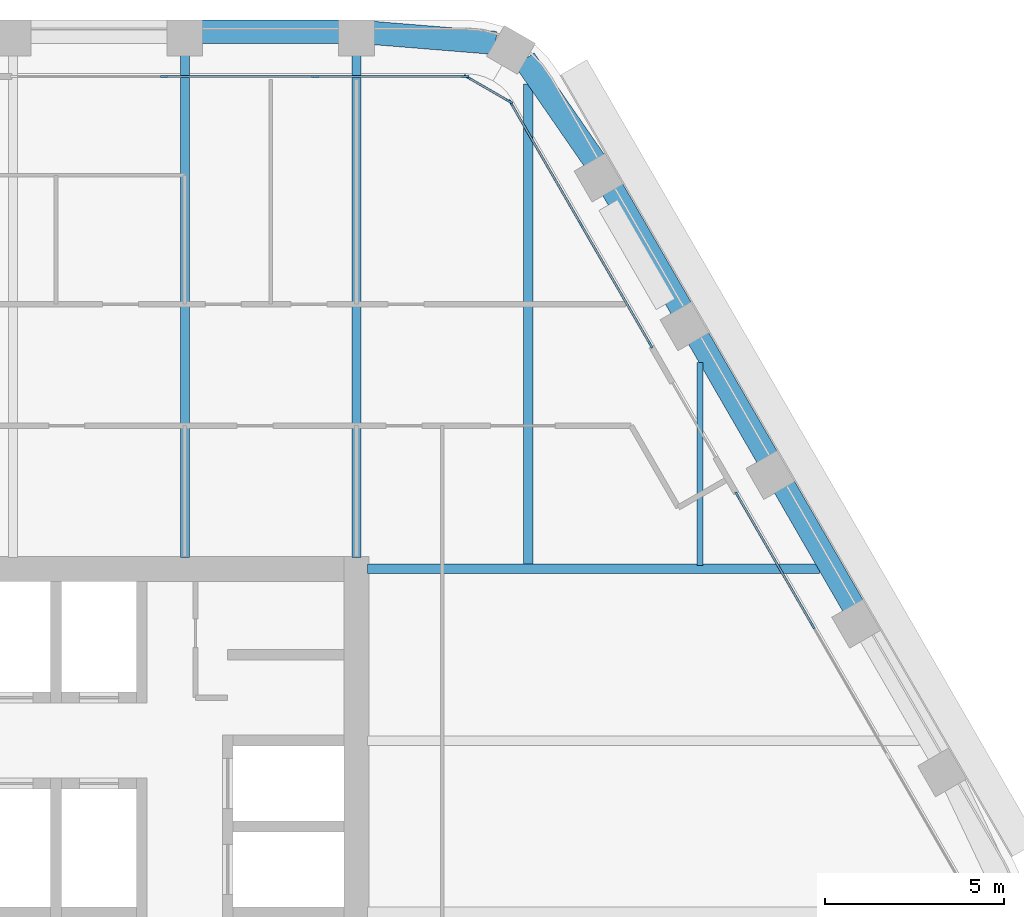
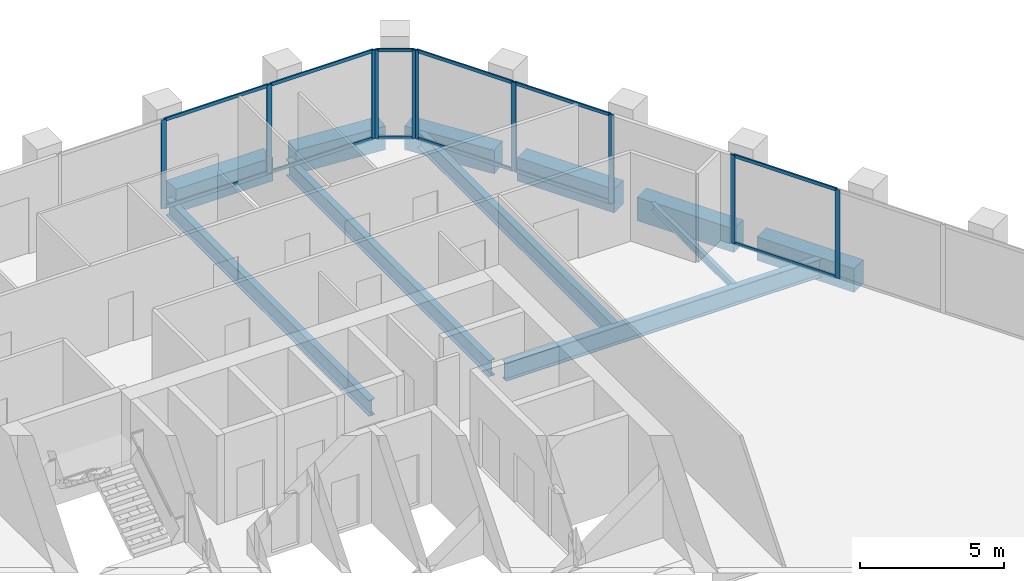
# One storey, part 6 of 15: 22 members, 11 beams, 4 elements without a shape of their own.
"""IFC4 building model written with IfcOpenShell, lengths in metres."""

from ifc_helpers import new_model, si_unit, direction, frame, origin, origin_2d, place, context, subcontext, project, spatial, rectangle, i_section, extrude, material, material_profile, profile_set, type_object, element, aggregate, save


model = new_model("IFC4")

# Units and contexts
model_context = context("Model", 3, precision=1e-05, world=origin(), true_north=direction((0.0, 1.0)))
body_context = subcontext(model_context, "Body", "Model", "MODEL_VIEW")
ifc_project = project(units=[si_unit("LENGTHUNIT", "METRE"), si_unit("AREAUNIT", "SQUARE_METRE"), si_unit("VOLUMEUNIT", "CUBIC_METRE"), si_unit("PLANEANGLEUNIT", "RADIAN"), si_unit("MASSUNIT", "GRAM", prefix="KILO")], contexts=[model_context])

# Site, building, storey
site_placement = place(None, origin())
site = spatial("IfcSite", under=ifc_project, at=site_placement, CompositionType="ELEMENT")
building_placement = place(site_placement, origin())
building = spatial("IfcBuilding", under=site, at=building_placement, Name="Kolab Exchange Tower", CompositionType="ELEMENT")
storey_placement = place(building_placement, frame((0.0, 0.0, 170.0)))
storey = spatial("IfcBuildingStorey", under=building, at=storey_placement, Name="L35", CompositionType="ELEMENT", Elevation=170.0)

# Beams
ifc_material_1 = material(Name="Steel S355", Category="steel")
ifc_material_profile_1 = material_profile(ifc_material_1, i_section(OverallWidth=0.1650390625, OverallDepth=0.31005859375, WebThickness=0.005859375, FlangeThickness=0.009765625, at=origin_2d()), Name="W310X39")
ifc_profile_set_1 = profile_set([ifc_material_profile_1], Name="Steel S355")
beam_type_1 = type_object("IfcBeamType", Name="FLOOR BEAM W310X39", PredefinedType="BEAM", material=ifc_profile_set_1)
beam_1_placement = place(storey_placement, frame((19.199951171875, 9.693603515625, -0.304931640625), z_axis=(0.0, 1.0, 0.0), x_axis=(-1.0, 0.0, 0.0)))
element("IfcBeam", 1, at=beam_1_placement, inside=storey, type_object=beam_type_1, Name="beam/L35/fr/023", PredefinedType="BEAM", context=body_context, shape_type="SweptSolid", body=[
    extrude(i_section(OverallWidth=0.1650390625, OverallDepth=0.31005859375, WebThickness=0.005859375, FlangeThickness=0.009765625, at=origin_2d()), origin(), (0.0, 0.0, 1.0), 5.674072265625),
])
ifc_material_profile_2 = material_profile(ifc_material_1, i_section(OverallWidth=0.25390625, OverallDepth=0.68408203125, WebThickness=0.012451171875, FlangeThickness=0.018798828125, at=origin_2d()), Name="W690X140")
ifc_profile_set_2 = profile_set([ifc_material_profile_2], Name="Steel S355")
beam_type_2 = type_object("IfcBeamType", Name="FLOOR BEAM W690X140", PredefinedType="BEAM", material=ifc_profile_set_2)
for number, where, z_axis, x_axis, name in (
    (2, (4.800048828125, 9.909912109375, -0.491943359375), (0.0, 1.0, 0.0), (-1.0, 0.0, 0.0), "beam/L35/fr/014"),
    (3, (9.60009765625, 9.909912109375, -0.491943359375), (0.0, 1.0, 0.0), (-1.0, 0.0, 0.0), "beam/L35/fr/016"),
):
    element("IfcBeam", number, at=place(storey_placement, frame(where, z_axis=z_axis, x_axis=x_axis)), inside=storey, type_object=beam_type_2, Name=name, PredefinedType="BEAM", context=body_context, shape_type="SweptSolid", body=[
        extrude(i_section(OverallWidth=0.25390625, OverallDepth=0.68408203125, WebThickness=0.012451171875, FlangeThickness=0.018798828125, at=origin_2d()), origin(), (0.0, 0.0, 1.0), 14.071533203125),
    ])
beam_2_placement = place(storey_placement, frame((14.39990234375, 9.693603515625, -0.491943359375), z_axis=(0.0, 1.0, 0.0), x_axis=(-1.0, 0.0, 0.0)))
element("IfcBeam", 4, at=beam_2_placement, inside=storey, type_object=beam_type_2, Name="beam/L35/fr/021", PredefinedType="BEAM", context=body_context, shape_type="SweptSolid", body=[
    extrude(i_section(OverallWidth=0.25390625, OverallDepth=0.68408203125, WebThickness=0.012451171875, FlangeThickness=0.018798828125, at=origin_2d()), origin(), (0.0, 0.0, 1.0), 13.462158203125),
])
ifc_material_profile_3 = material_profile(ifc_material_1, i_section(OverallWidth=0.26708984375, OverallDepth=0.761962890625, WebThickness=0.014404296875, FlangeThickness=0.021484375, at=origin_2d()), Name="W760X173")
ifc_profile_set_3 = profile_set([ifc_material_profile_3], Name="Steel S355")
beam_type_3 = type_object("IfcBeamType", Name="FLOOR GIRDER W760X173", PredefinedType="BEAM", material=ifc_profile_set_3)
beam_3_placement = place(storey_placement, frame((9.909912109375, 9.60009765625, -0.531005859375), z_axis=(1.0, 0.0, 0.0), x_axis=(0.0, 1.0, 0.0)))
element("IfcBeam", 5, at=beam_3_placement, inside=storey, type_object=beam_type_3, Name="beam/L35/gd/003", PredefinedType="BEAM", context=body_context, shape_type="SweptSolid", body=[
    extrude(i_section(OverallWidth=0.26708984375, OverallDepth=0.761962890625, WebThickness=0.014404296875, FlangeThickness=0.021484375, at=origin_2d()), origin(), (0.0, 0.0, 1.0), 12.636962890625),
])
ifc_material_2 = material(Name="Concrete C60/75", Category="concrete")
ifc_material_profile_4 = material_profile(ifc_material_2, rectangle(XDim=0.64990234375, YDim=1.0, at=origin_2d()), Name="RC650X1000")
ifc_profile_set_4 = profile_set([ifc_material_profile_4], Name="Concrete C60/75")
beam_type_4 = type_object("IfcBeamType", Name="SPANDREL BEAM 650X1000 C60/75", PredefinedType="BEAM", material=ifc_profile_set_4)
beam_4_placement = place(storey_placement, frame((5.260009765625, 24.616455078125, -0.64990234375), z_axis=(1.0, 0.0, 0.0), x_axis=(0.0, 1.0, 0.0)))
element("IfcBeam", 6, at=beam_4_placement, inside=storey, type_object=beam_type_4, Name="beam/L35/sp/F1-05", PredefinedType="BEAM", context=body_context, shape_type="SweptSolid", body=[
    extrude(rectangle(XDim=0.64990234375, YDim=1.0, at=origin_2d()), origin(), (0.0, 0.0, 1.0), 3.8798828125),
])
for number, where, z_axis, x_axis, name in (
    (7, (10.06005859375, 24.5791015625, -0.64990234375), (0.996708497182, -0.081068931445, 0.0), (0.081068931445, 0.996708497182, 0.0), "beam/L35/sp/F1-06"),
    (8, (14.29736328125, 23.8359375, -0.64990234375), (0.568572281073, -0.822633309073, 0.0), (0.822633309073, 0.568572281073, 0.0), "beam/L35/sp/F2-01"),
):
    element("IfcBeam", number, at=place(storey_placement, frame(where, z_axis=z_axis, x_axis=x_axis)), inside=storey, type_object=beam_type_4, Name=name, PredefinedType="BEAM", context=body_context, shape_type="SweptSolid", body=[
        extrude(rectangle(XDim=0.64990234375, YDim=1.0, at=origin_2d()), origin(), (0.0, 0.0, 1.0), 3.445068359375),
    ])
beam_5_placement = place(storey_placement, frame((16.74853515625, 20.2236328125, -0.64990234375), z_axis=(0.499996613652, -0.866027358884, 0.0), x_axis=(0.866027358884, 0.499996613652, 0.0)))
element("IfcBeam", 9, at=beam_5_placement, inside=storey, type_object=beam_type_4, Name="beam/L35/sp/F2-02", PredefinedType="BEAM", context=body_context, shape_type="SweptSolid", body=[
    extrude(rectangle(XDim=0.64990234375, YDim=1.0, at=origin_2d()), origin(), (0.0, 0.0, 1.0), 3.8798828125),
])
beam_6_placement = place(storey_placement, frame((19.1484375, 16.06689453125, -0.64990234375), z_axis=(0.50001655835, -0.866015843605, 0.0), x_axis=(0.866015843605, 0.50001655835, 0.0)))
element("IfcBeam", 10, at=beam_6_placement, inside=storey, type_object=beam_type_4, Name="beam/L35/sp/F2-03", PredefinedType="BEAM", context=body_context, shape_type="SweptSolid", body=[
    extrude(rectangle(XDim=0.64990234375, YDim=1.0, at=origin_2d()), origin(), (0.0, 0.0, 1.0), 3.880126953125),
])
beam_7_placement = place(storey_placement, frame((21.548583984375, 11.909912109375, -0.64990234375), z_axis=(0.499996613652, -0.866027358884, 0.0), x_axis=(0.866027358884, 0.499996613652, 0.0)))
element("IfcBeam", 11, at=beam_7_placement, inside=storey, type_object=beam_type_4, Name="beam/L35/sp/F2-04", PredefinedType="BEAM", context=body_context, shape_type="SweptSolid", body=[
    extrude(rectangle(XDim=0.64990234375, YDim=1.0, at=origin_2d()), origin(), (0.0, 0.0, 1.0), 3.8798828125),
])

# Curtain wall, members
ifc_material_3 = material(Name="Aluminium EN AW-6063 T6", Category="aluminium")
curtain_wall_type = type_object("IfcCurtainWallType", Name="UNITISED UPPER MID ZONE CURTAIN WALL", PredefinedType="NOTDEFINED", material=ifc_material_3)
curtain_wall_1_placement = place(storey_placement, origin())
curtain_wall_1 = element("IfcCurtainWall", 12, at=curtain_wall_1_placement, inside=storey, type_object=curtain_wall_type, Name="cw/L35/F1-2", PredefinedType="NOTDEFINED")
ifc_material_profile_5 = material_profile(ifc_material_3, rectangle(XDim=0.06005859375, YDim=0.199951171875, at=origin_2d()), Name="RECT 60X200")
ifc_profile_set_5 = profile_set([ifc_material_profile_5], Name="Aluminium EN AW-6063 T6")
member_type_1 = type_object("IfcMemberType", Name="UNITISED UPPER MID ZONE MULLION 60 X 200", PredefinedType="MULLION", material=ifc_profile_set_5)
member_1_placement = place(storey_placement, frame((4.22265625, 23.361572265625, 0.0), z_axis=(0.0, 0.0, 1.0), x_axis=(0.0, 1.0, 0.0)))
member_1 = element("IfcMember", 13, at=member_1_placement, type_object=member_type_1, Name="CW3 mullion 2", PredefinedType="MULLION", context=body_context, shape_type="SweptSolid", body=[
    extrude(rectangle(XDim=0.06005859375, YDim=0.199951171875, at=origin_2d()), origin(), (0.0, 0.0, 1.0), 3.75),
])
member_2_placement = place(storey_placement, frame((8.4453125, 23.361572265625, 0.0), z_axis=(0.0, 0.0, 1.0), x_axis=(0.0, 1.0, 0.0)))
member_2 = element("IfcMember", 14, at=member_2_placement, type_object=member_type_1, Name="CW3 mullion 3", PredefinedType="MULLION", context=body_context, shape_type="SweptSolid", body=[
    extrude(rectangle(XDim=0.06005859375, YDim=0.199951171875, at=origin_2d()), origin(), (0.0, 0.0, 1.0), 3.75),
])
member_3_placement = place(storey_placement, frame((12.637939453125, 23.361572265625, 0.0), z_axis=(0.0, 0.0, 1.0), x_axis=(0.0, 1.0, 0.0)))
member_3 = element("IfcMember", 15, at=member_3_placement, type_object=member_type_1, Name="CW3 mullion 4", PredefinedType="MULLION", context=body_context, shape_type="SweptSolid", body=[
    extrude(rectangle(XDim=0.06005859375, YDim=0.199951171875, at=origin_2d()), origin(), (0.0, 0.0, 1.0), 3.75),
])

curtain_wall_2_placement = place(storey_placement, origin())
curtain_wall_2 = element("IfcCurtainWall", 16, at=curtain_wall_2_placement, inside=storey, type_object=curtain_wall_type, Name="cw/L35/F2-1", PredefinedType="NOTDEFINED")
member_4_placement = place(storey_placement, frame((13.91259765625, 22.62548828125, 0.0), z_axis=(0.0, 0.0, 1.0), x_axis=(0.866025385493, 0.500000031681, 0.0)))
member_4 = element("IfcMember", 17, at=member_4_placement, type_object=member_type_1, Name="CW3 mullion 1", PredefinedType="MULLION", context=body_context, shape_type="SweptSolid", body=[
    extrude(rectangle(XDim=0.06005859375, YDim=0.199951171875, at=origin_2d()), origin(), (0.0, 0.0, 1.0), 3.75),
])
member_5_placement = place(storey_placement, frame((15.86474609375, 19.24462890625, 0.0), z_axis=(0.0, 0.0, 1.0), x_axis=(0.866025385493, 0.500000031681, 0.0)))
member_5 = element("IfcMember", 18, at=member_5_placement, type_object=member_type_1, Name="CW3 mullion 2", PredefinedType="MULLION", context=body_context, shape_type="SweptSolid", body=[
    extrude(rectangle(XDim=0.06005859375, YDim=0.199951171875, at=origin_2d()), origin(), (0.0, 0.0, 1.0), 3.75),
])
member_6_placement = place(storey_placement, frame((17.816650390625, 15.86376953125, 0.0), z_axis=(0.0, 0.0, 1.0), x_axis=(0.866025385493, 0.500000031681, 0.0)))
member_6 = element("IfcMember", 19, at=member_6_placement, type_object=member_type_1, Name="CW3 mullion 3", PredefinedType="MULLION", context=body_context, shape_type="SweptSolid", body=[
    extrude(rectangle(XDim=0.06005859375, YDim=0.199951171875, at=origin_2d()), origin(), (0.0, 0.0, 1.0), 3.75),
])

curtain_wall_3_placement = place(storey_placement, origin())
curtain_wall_3 = element("IfcCurtainWall", 20, at=curtain_wall_3_placement, inside=storey, type_object=curtain_wall_type, Name="cw/L35/F2-2", PredefinedType="NOTDEFINED")
member_7_placement = place(storey_placement, frame((20.24658203125, 11.65478515625, 0.0), z_axis=(0.0, 0.0, 1.0), x_axis=(0.866025427826, 0.499999958358, 0.0)))
member_7 = element("IfcMember", 21, at=member_7_placement, type_object=member_type_1, Name="CW3 mullion 1", PredefinedType="MULLION", context=body_context, shape_type="SweptSolid", body=[
    extrude(rectangle(XDim=0.06005859375, YDim=0.199951171875, at=origin_2d()), origin(), (0.0, 0.0, 1.0), 3.75),
])
member_8_placement = place(storey_placement, frame((22.343017578125, 8.02392578125, 0.0), z_axis=(0.0, 0.0, 1.0), x_axis=(0.866025427826, 0.499999958358, 0.0)))
member_8 = element("IfcMember", 22, at=member_8_placement, type_object=member_type_1, Name="CW3 mullion 2", PredefinedType="MULLION", context=body_context, shape_type="SweptSolid", body=[
    extrude(rectangle(XDim=0.06005859375, YDim=0.199951171875, at=origin_2d()), origin(), (0.0, 0.0, 1.0), 3.75),
])

curtain_wall_4_placement = place(storey_placement, origin())
curtain_wall_4 = element("IfcCurtainWall", 23, at=curtain_wall_4_placement, inside=storey, type_object=curtain_wall_type, Name="cw/L35/F1F2-corner", PredefinedType="NOTDEFINED")
member_9_placement = place(storey_placement, frame((12.69384765625, 23.346435546875, 0.0), z_axis=(0.0, 0.0, 1.0), x_axis=(0.50000002237, 0.866025390869, 0.0)))
member_9 = element("IfcMember", 24, at=member_9_placement, type_object=member_type_1, Name="CW3 mullion 1", PredefinedType="MULLION", context=body_context, shape_type="SweptSolid", body=[
    extrude(rectangle(XDim=0.06005859375, YDim=0.199951171875, at=origin_2d()), origin(), (0.0, 0.0, 1.0), 3.75),
])
member_10_placement = place(storey_placement, frame((13.871826171875, 22.66650390625, 0.0), z_axis=(0.0, 0.0, 1.0), x_axis=(0.50000002237, 0.866025390869, 0.0)))
member_10 = element("IfcMember", 25, at=member_10_placement, type_object=member_type_1, Name="CW3 mullion 2", PredefinedType="MULLION", context=body_context, shape_type="SweptSolid", body=[
    extrude(rectangle(XDim=0.06005859375, YDim=0.199951171875, at=origin_2d()), origin(), (0.0, 0.0, 1.0), 3.75),
])

# Member
ifc_material_profile_6 = material_profile(ifc_material_3, rectangle(XDim=0.06005859375, YDim=0.139892578125, at=origin_2d()), Name="RECT 60X140")
ifc_profile_set_6 = profile_set([ifc_material_profile_6], Name="Aluminium EN AW-6063 T6")
member_type_2 = type_object("IfcMemberType", Name="UNITISED UPPER MID ZONE TRANSOM 60 X 140", PredefinedType="USERDEFINED", material=ifc_profile_set_6)
member_11_placement = place(storey_placement, frame((4.252685546875, 23.361572265625, 0.030029296875), z_axis=(1.0, 0.0, 0.0), x_axis=(0.0, 1.0, 0.0)))
member_11 = element("IfcMember", 26, at=member_11_placement, type_object=member_type_2, Name="CW3 transom 2.1", ObjectType="TRANSOM", PredefinedType="USERDEFINED", context=body_context, shape_type="SweptSolid", body=[
    extrude(rectangle(XDim=0.06005859375, YDim=0.139892578125, at=origin_2d()), origin(), (0.0, 0.0, 1.0), 4.16259765625),
])

member_12_placement = place(storey_placement, frame((4.252685546875, 23.361572265625, 3.719970703125), z_axis=(1.0, 0.0, 0.0), x_axis=(0.0, 1.0, 0.0)))
member_12 = element("IfcMember", 27, at=member_12_placement, type_object=member_type_2, Name="CW3 transom 2.2", ObjectType="TRANSOM", PredefinedType="USERDEFINED", context=body_context, shape_type="SweptSolid", body=[
    extrude(rectangle(XDim=0.06005859375, YDim=0.139892578125, at=origin_2d()), origin(), (0.0, 0.0, 1.0), 4.16259765625),
])

member_13_placement = place(storey_placement, frame((8.475341796875, 23.361572265625, 0.030029296875), z_axis=(1.0, 0.0, 0.0), x_axis=(0.0, 1.0, 0.0)))
member_13 = element("IfcMember", 28, at=member_13_placement, type_object=member_type_2, Name="CW3 transom 3.1", ObjectType="TRANSOM", PredefinedType="USERDEFINED", context=body_context, shape_type="SweptSolid", body=[
    extrude(rectangle(XDim=0.06005859375, YDim=0.139892578125, at=origin_2d()), origin(), (0.0, 0.0, 1.0), 4.132568359375),
])

member_14_placement = place(storey_placement, frame((8.475341796875, 23.361572265625, 3.719970703125), z_axis=(1.0, 0.0, 0.0), x_axis=(0.0, 1.0, 0.0)))
member_14 = element("IfcMember", 29, at=member_14_placement, type_object=member_type_2, Name="CW3 transom 3.2", ObjectType="TRANSOM", PredefinedType="USERDEFINED", context=body_context, shape_type="SweptSolid", body=[
    extrude(rectangle(XDim=0.06005859375, YDim=0.139892578125, at=origin_2d()), origin(), (0.0, 0.0, 1.0), 4.132568359375),
])

aggregate(curtain_wall_1, [member_1, member_2, member_3, member_11, member_12, member_13, member_14])

member_15_placement = place(storey_placement, frame((13.927734375, 22.599609375, 0.030029296875), z_axis=(0.499964356602, -0.866045981532, 0.0), x_axis=(0.866045981532, 0.499964356602, 0.0)))
member_15 = element("IfcMember", 30, at=member_15_placement, type_object=member_type_2, Name="CW3 transom 1.1", ObjectType="TRANSOM", PredefinedType="USERDEFINED", context=body_context, shape_type="SweptSolid", body=[
    extrude(rectangle(XDim=0.06005859375, YDim=0.139892578125, at=origin_2d()), origin(), (0.0, 0.0, 1.0), 3.843994140625),
])

member_16_placement = place(storey_placement, frame((13.927734375, 22.599609375, 3.719970703125), z_axis=(0.499964356602, -0.866045981532, 0.0), x_axis=(0.866045981532, 0.499964356602, 0.0)))
member_16 = element("IfcMember", 31, at=member_16_placement, type_object=member_type_2, Name="CW3 transom 1.2", ObjectType="TRANSOM", PredefinedType="USERDEFINED", context=body_context, shape_type="SweptSolid", body=[
    extrude(rectangle(XDim=0.06005859375, YDim=0.139892578125, at=origin_2d()), origin(), (0.0, 0.0, 1.0), 3.843994140625),
])

member_17_placement = place(storey_placement, frame((15.879638671875, 19.21875, 0.030029296875), z_axis=(0.500011990396, -0.866018481016, 0.0), x_axis=(0.866018481016, 0.500011990396, 0.0)))
member_17 = element("IfcMember", 32, at=member_17_placement, type_object=member_type_2, Name="CW3 transom 2.1", ObjectType="TRANSOM", PredefinedType="USERDEFINED", context=body_context, shape_type="SweptSolid", body=[
    extrude(rectangle(XDim=0.06005859375, YDim=0.139892578125, at=origin_2d()), origin(), (0.0, 0.0, 1.0), 3.84423828125),
])

member_18_placement = place(storey_placement, frame((15.879638671875, 19.21875, 3.719970703125), z_axis=(0.500011990396, -0.866018481016, 0.0), x_axis=(0.866018481016, 0.500011990396, 0.0)))
member_18 = element("IfcMember", 33, at=member_18_placement, type_object=member_type_2, Name="CW3 transom 2.2", ObjectType="TRANSOM", PredefinedType="USERDEFINED", context=body_context, shape_type="SweptSolid", body=[
    extrude(rectangle(XDim=0.06005859375, YDim=0.139892578125, at=origin_2d()), origin(), (0.0, 0.0, 1.0), 3.84423828125),
])

aggregate(curtain_wall_2, [member_4, member_5, member_6, member_15, member_16, member_17, member_18])

member_19_placement = place(storey_placement, frame((20.26171875, 11.62890625, 0.030029296875), z_axis=(0.500001996123, -0.866024251319, 0.0), x_axis=(0.866024251319, 0.500001996123, 0.0)))
member_19 = element("IfcMember", 34, at=member_19_placement, type_object=member_type_2, Name="CW3 transom 1.1", ObjectType="TRANSOM", PredefinedType="USERDEFINED", context=body_context, shape_type="SweptSolid", body=[
    extrude(rectangle(XDim=0.06005859375, YDim=0.139892578125, at=origin_2d()), origin(), (0.0, 0.0, 1.0), 4.1328125),
])

member_20_placement = place(storey_placement, frame((20.26171875, 11.62890625, 3.719970703125), z_axis=(0.500001996123, -0.866024251319, 0.0), x_axis=(0.866024251319, 0.500001996123, 0.0)))
member_20 = element("IfcMember", 35, at=member_20_placement, type_object=member_type_2, Name="CW3 transom 1.2", ObjectType="TRANSOM", PredefinedType="USERDEFINED", context=body_context, shape_type="SweptSolid", body=[
    extrude(rectangle(XDim=0.06005859375, YDim=0.139892578125, at=origin_2d()), origin(), (0.0, 0.0, 1.0), 4.1328125),
])

aggregate(curtain_wall_3, [member_7, member_8, member_19, member_20])

member_21_placement = place(storey_placement, frame((12.719970703125, 23.33154296875, 0.030029296875), z_axis=(0.86603858612, -0.49997716683, 0.0), x_axis=(0.49997716683, 0.86603858612, 0.0)))
member_21 = element("IfcMember", 36, at=member_21_placement, type_object=member_type_2, Name="CW3 transom 1.1", ObjectType="TRANSOM", PredefinedType="USERDEFINED", context=body_context, shape_type="SweptSolid", body=[
    extrude(rectangle(XDim=0.06005859375, YDim=0.139892578125, at=origin_2d()), origin(), (0.0, 0.0, 1.0), 1.2998046875),
])

member_22_placement = place(storey_placement, frame((12.719970703125, 23.33154296875, 3.719970703125), z_axis=(0.86603858612, -0.49997716683, 0.0), x_axis=(0.49997716683, 0.86603858612, 0.0)))
member_22 = element("IfcMember", 37, at=member_22_placement, type_object=member_type_2, Name="CW3 transom 1.2", ObjectType="TRANSOM", PredefinedType="USERDEFINED", context=body_context, shape_type="SweptSolid", body=[
    extrude(rectangle(XDim=0.06005859375, YDim=0.139892578125, at=origin_2d()), origin(), (0.0, 0.0, 1.0), 1.2998046875),
])

aggregate(curtain_wall_4, [member_9, member_10, member_21, member_22])

save(model, "model.ifc")
